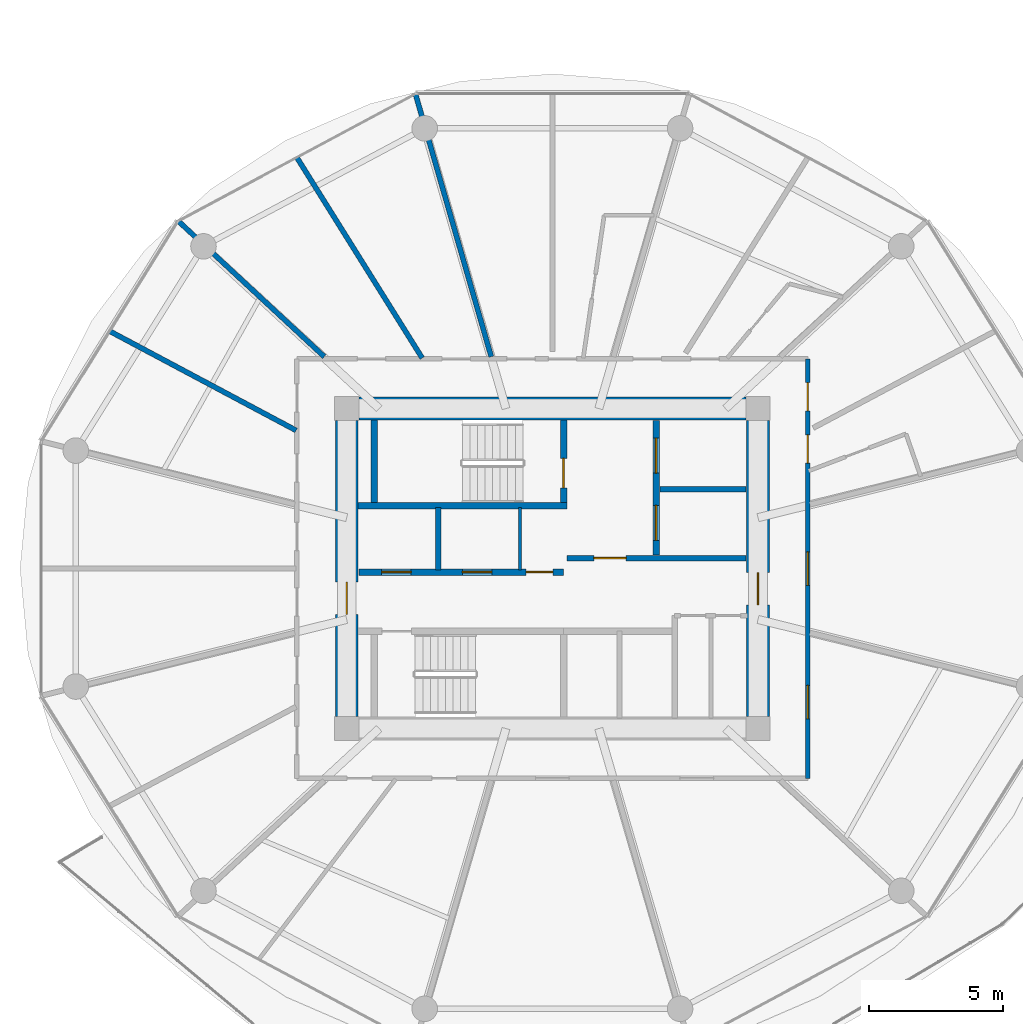
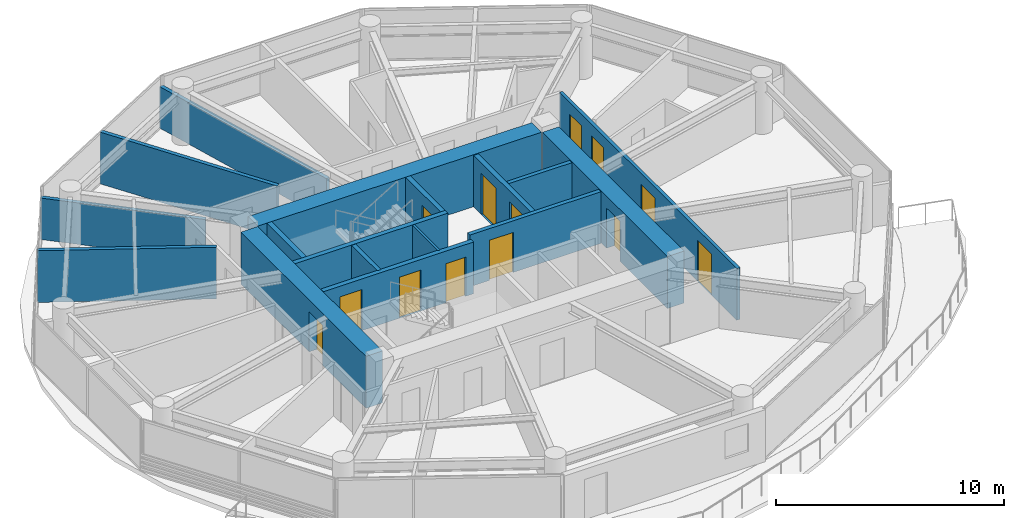
# One storey, part 16 of 26: 17 walls, 13 doors, 13 openings.
"""IFC4 building model written with IfcOpenShell, lengths in metres."""

from ifc_helpers import new_model, si_unit, direction, frame, frame_2d, origin, place, context, subcontext, project, spatial, rectangle, extrude, source, transform, mapped, material, layer, layer_set, type_object, type_shapes, element, fill, save


model = new_model("IFC4")

# Units and contexts
model_context = context("Model", 3, precision=1e-05, world=origin(), true_north=direction((0.0, 1.0)))
body_context = subcontext(model_context, "Body", "Model", "MODEL_VIEW")
ifc_project = project(units=[si_unit("LENGTHUNIT", "METRE"), si_unit("AREAUNIT", "SQUARE_METRE"), si_unit("VOLUMEUNIT", "CUBIC_METRE"), si_unit("PLANEANGLEUNIT", "RADIAN"), si_unit("MASSUNIT", "GRAM", prefix="KILO")], contexts=[model_context])

# Site, building, storey
site_placement = place(None, origin())
site = spatial("IfcSite", under=ifc_project, at=site_placement, CompositionType="ELEMENT")
building_placement = place(site_placement, origin())
building = spatial("IfcBuilding", under=site, at=building_placement, Name="Norrkilde Senior Care Towers", CompositionType="ELEMENT")
storey_placement = place(building_placement, frame((0.0, 0.0, 49.050048828125)))
storey = spatial("IfcBuildingStorey", under=building, at=storey_placement, Name="L14", CompositionType="ELEMENT", Elevation=49.050048828125)

# Wall
ifc_material_1 = material(Name="Concrete C60/75", Category="concrete")
ifc_layer_1 = layer(ifc_material_1, 0.85009765625)
ifc_layer_set_1 = layer_set([ifc_layer_1], Name="Concrete C60/75")
wall_type_1 = type_object("IfcWallType", Name="Core Shear Wall Z1 850", PredefinedType="SHEAR", material=ifc_layer_set_1)
shared_shape_1 = source(origin(), body_context, "Body", "SweptSolid", [
    extrude(rectangle(XDim=14.39990234375, YDim=0.85009765625, at=frame_2d((7.199951171875, 0.0))), origin(), (0.0, 0.0, 1.0), 2.7900390625),
])
wall_1_placement = place(storey_placement, frame((-35.199951171875, 5.949951171875, 0.0), z_axis=(0.0, 0.0, 1.0), x_axis=(1.0, 0.0, 0.0)))
element("IfcWall", 1, at=wall_1_placement, inside=storey, type_object=wall_type_1, Name="L14 Core W North Shear Wall", PredefinedType="SHEAR", context=body_context, shape_type="MappedRepresentation", body=[
    mapped(shared_shape_1, transform((0.0, 0.0, 0.0), x_axis=(1.0, 0.0, 0.0), y_axis=(0.0, 1.0, 0.0), z_axis=(0.0, 0.0, 1.0), scale=1.0)),
])

# Wall, opening, door
shared_shape_2 = source(origin(), body_context, "Body", "SweptSolid", [
    extrude(rectangle(XDim=11.0, YDim=0.85009765625, at=frame_2d((5.5, 0.0))), origin(), (0.0, 0.0, 1.0), 2.7900390625),
])
type_shapes(wall_type_1, [shared_shape_1, shared_shape_2])
wall_2_placement = place(storey_placement, frame((-35.64990234375, -5.5, 0.0), z_axis=(0.0, 0.0, 1.0), x_axis=(0.0, 1.0, 0.0)))
wall_2 = element("IfcWall", 2, at=wall_2_placement, inside=storey, type_object=wall_type_1, Name="L14 Core W West Shear Wall", PredefinedType="SHEAR", context=body_context, shape_type="MappedRepresentation", body=[
    mapped(shared_shape_2, transform((0.0, 0.0, 0.0), x_axis=(1.0, 0.0, 0.0), y_axis=(0.0, 1.0, 0.0), z_axis=(0.0, 0.0, 1.0), scale=1.0)),
])
opening_1_placement = place(wall_2_placement, frame((3.800048828125, 0.0, 0.0)))
opening_1 = element("IfcOpeningElement", 3, at=opening_1_placement, cuts=wall_2, Name="Opening D-04", PredefinedType="OPENING", context=body_context, shape_type="SweptSolid", body=[
    extrude(rectangle(XDim=1.199951171875, YDim=2.14990234375, at=frame_2d((0.60009765625, 1.074951171875))), frame((0.0, 0.43505859375, 0.0), z_axis=(0.0, -1.0, 0.0), x_axis=(1.0, 0.0, 0.0)), (0.0, 0.0, 1.0), 0.8701171875),
])
ifc_material_2 = material(Name="Galvanised Painted Steel", Category="steel")
door_type_1 = type_object("IfcDoorType", Name="Firefighting Lobby Fire Door 1200x2150", OperationType="NOTDEFINED", PredefinedType="DOOR", material=ifc_material_2)
shared_shape_3 = source(origin(), body_context, "Body", "SweptSolid", [
    extrude(rectangle(XDim=1.199951171875, YDim=2.14990234375, at=frame_2d((0.60009765625, 1.074951171875))), frame((0.0, 0.02490234375, 0.0), z_axis=(0.0, -1.0, 0.0), x_axis=(1.0, 0.0, 0.0)), (0.0, 0.0, 1.0), 0.050048828125),
])
type_shapes(door_type_1, [shared_shape_3])
door_1_placement = place(opening_1_placement, frame((1.199951171875, 0.0, 0.0), z_axis=(0.0, 0.0, 1.0), x_axis=(-1.0, 0.0, 0.0)))
door_1 = element("IfcDoor", 4, at=door_1_placement, inside=storey, type_object=door_type_1, Name="L14 Core W West Portal Door", OperationType="SINGLE_SWING_LEFT", OverallHeight=2.14990234375, OverallWidth=1.199951171875, PredefinedType="DOOR", context=body_context, shape_type="MappedRepresentation", body=[
    mapped(shared_shape_3, transform((0.0, 0.0, 0.0), x_axis=(1.0, 0.0, 0.0), y_axis=(0.0, 1.0, 0.0), z_axis=(0.0, 0.0, 1.0), scale=1.0)),
])
fill(opening_1, door_1)

wall_3_placement = place(storey_placement, frame((-20.35009765625, 5.5, 0.0), z_axis=(0.0, 0.0, 1.0), x_axis=(0.0, -1.0, 0.0)))
wall_3 = element("IfcWall", 5, at=wall_3_placement, inside=storey, type_object=wall_type_1, Name="L14 Core W East Shear Wall", PredefinedType="SHEAR", context=body_context, shape_type="MappedRepresentation", body=[
    mapped(shared_shape_2, transform((0.0, 0.0, 0.0), x_axis=(1.0, 0.0, 0.0), y_axis=(0.0, 1.0, 0.0), z_axis=(0.0, 0.0, 1.0), scale=1.0)),
])
opening_2_placement = place(wall_3_placement, frame((5.64990234375, 0.0, 0.0)))
opening_2 = element("IfcOpeningElement", 6, at=opening_2_placement, cuts=wall_3, Name="Opening D-04", PredefinedType="OPENING", context=body_context, shape_type="SweptSolid", body=[
    extrude(rectangle(XDim=1.199951171875, YDim=2.14990234375, at=frame_2d((0.60009765625, 1.074951171875))), frame((0.0, 0.43505859375, 0.0), z_axis=(0.0, -1.0, 0.0), x_axis=(1.0, 0.0, 0.0)), (0.0, 0.0, 1.0), 0.8701171875),
])
door_2_placement = place(opening_2_placement, frame((1.199951171875, 0.0, 0.0), z_axis=(0.0, 0.0, 1.0), x_axis=(-1.0, 0.0, 0.0)))
door_2 = element("IfcDoor", 7, at=door_2_placement, inside=storey, type_object=door_type_1, Name="L14 Core W East Portal Door", OperationType="SINGLE_SWING_RIGHT", OverallHeight=2.14990234375, OverallWidth=1.199951171875, PredefinedType="DOOR", context=body_context, shape_type="MappedRepresentation", body=[
    mapped(shared_shape_3, transform((0.0, 0.0, 0.0), x_axis=(1.0, 0.0, 0.0), y_axis=(0.0, 1.0, 0.0), z_axis=(0.0, 0.0, 1.0), scale=1.0)),
])
fill(opening_2, door_2)

# Wall, openings, doors
ifc_material_3 = material(Name="Concrete C45/55", Category="concrete")
ifc_layer_2 = layer(ifc_material_3, 0.239990234375)
ifc_layer_set_2 = layer_set([ifc_layer_2], Name="Concrete C45/55")
wall_type_2 = type_object("IfcWallType", Name="Lift and Plant Rated Enclosure Partition 240", PredefinedType="PARTITIONING", material=ifc_layer_set_2)
shared_shape_4 = source(origin(), body_context, "Body", "SweptSolid", [
    extrude(rectangle(XDim=5.0, YDim=0.239990234375, at=frame_2d((2.5, 0.0))), origin(), (0.0, 0.0, 1.0), 2.77490234375),
])
wall_4_placement = place(storey_placement, frame((-24.139892578125, 0.5, 0.0), z_axis=(0.0, 0.0, 1.0), x_axis=(0.0, 1.0, 0.0)))
wall_4 = element("IfcWall", 8, at=wall_4_placement, inside=storey, type_object=wall_type_2, Name="WL-INT-L14-W-FFLE", PredefinedType="PARTITIONING", context=body_context, shape_type="MappedRepresentation", body=[
    mapped(shared_shape_4, transform((0.0, 0.0, 0.0), x_axis=(1.0, 0.0, 0.0), y_axis=(0.0, 1.0, 0.0), z_axis=(0.0, 0.0, 1.0), scale=1.0)),
])
opening_3_placement = place(wall_4_placement, frame((3.050048828125, 0.0, 0.0)))
opening_3 = element("IfcOpeningElement", 9, at=opening_3_placement, cuts=wall_4, Name="Opening LD-02", PredefinedType="OPENING", context=body_context, shape_type="SweptSolid", body=[
    extrude(rectangle(XDim=1.300048828125, YDim=2.199951171875, at=frame_2d((0.64990234375, 1.10009765625))), frame((0.0, 0.1298828125, 0.0), z_axis=(0.0, -1.0, 0.0), x_axis=(1.0, 0.0, 0.0)), (0.0, 0.0, 1.0), 0.260009765625),
])
opening_4_placement = place(wall_4_placement, frame((0.550048828125, 0.0, 0.0)))
opening_4 = element("IfcOpeningElement", 10, at=opening_4_placement, cuts=wall_4, Name="Opening LD-02", PredefinedType="OPENING", context=body_context, shape_type="SweptSolid", body=[
    extrude(rectangle(XDim=1.300048828125, YDim=2.199951171875, at=frame_2d((0.64990234375, 1.10009765625))), frame((0.0, 0.1298828125, 0.0), z_axis=(0.0, -1.0, 0.0), x_axis=(1.0, 0.0, 0.0)), (0.0, 0.0, 1.0), 0.260009765625),
])
ifc_material_4 = material(Name="Stainless Steel", Category="steel")
door_type_2 = type_object("IfcDoorType", Name="Stretcher and FFL Landing Sliding Door 1300x2200", OperationType="NOTDEFINED", PredefinedType="DOOR", material=ifc_material_4)
shared_shape_5 = source(origin(), body_context, "Body", "SweptSolid", [
    extrude(rectangle(XDim=1.300048828125, YDim=2.199951171875, at=frame_2d((0.64990234375, 1.10009765625))), frame((0.0, 0.02490234375, 0.0), z_axis=(0.0, -1.0, 0.0), x_axis=(1.0, 0.0, 0.0)), (0.0, 0.0, 1.0), 0.050048828125),
])
type_shapes(door_type_2, [shared_shape_5])
door_3_placement = place(opening_3_placement, origin())
door_3 = element("IfcDoor", 11, at=door_3_placement, inside=storey, type_object=door_type_2, Name="L14 Firefighting Lift W1 Landing Door", OperationType="SLIDING_TO_LEFT", OverallHeight=2.199951171875, OverallWidth=1.300048828125, PredefinedType="DOOR", context=body_context, shape_type="MappedRepresentation", body=[
    mapped(shared_shape_5, transform((0.0, 0.0, 0.0), x_axis=(1.0, 0.0, 0.0), y_axis=(0.0, 1.0, 0.0), z_axis=(0.0, 0.0, 1.0), scale=1.0)),
])
fill(opening_3, door_3)
door_4_placement = place(opening_4_placement, origin())
door_4 = element("IfcDoor", 12, at=door_4_placement, inside=storey, type_object=door_type_2, Name="L14 Stretcher Lift W1 Landing Door", OperationType="SLIDING_TO_RIGHT", OverallHeight=2.199951171875, OverallWidth=1.300048828125, PredefinedType="DOOR", context=body_context, shape_type="MappedRepresentation", body=[
    mapped(shared_shape_5, transform((0.0, 0.0, 0.0), x_axis=(1.0, 0.0, 0.0), y_axis=(0.0, 1.0, 0.0), z_axis=(0.0, 0.0, 1.0), scale=1.0)),
])
fill(opening_4, door_4)

# Wall
ifc_layer_3 = layer(ifc_material_3, 0.199951171875)
ifc_layer_set_3 = layer_set([ifc_layer_3], Name="Concrete C45/55")
wall_type_3 = type_object("IfcWallType", Name="Shaft Division and Plant Partition 200", PredefinedType="PARTITIONING", material=ifc_layer_set_3)
shared_shape_6 = source(origin(), body_context, "Body", "SweptSolid", [
    extrude(rectangle(XDim=3.199951171875, YDim=0.199951171875, at=frame_2d((1.60009765625, 0.0))), origin(), (0.0, 0.0, 1.0), 2.77490234375),
])
wall_5_placement = place(storey_placement, frame((-24.0, 2.949951171875, 0.0), z_axis=(0.0, 0.0, 1.0), x_axis=(1.0, 0.0, 0.0)))
element("IfcWall", 13, at=wall_5_placement, inside=storey, type_object=wall_type_3, Name="WL-INT-L14-W-FFLDIV", PredefinedType="PARTITIONING", context=body_context, shape_type="MappedRepresentation", body=[
    mapped(shared_shape_6, transform((0.0, 0.0, 0.0), x_axis=(1.0, 0.0, 0.0), y_axis=(0.0, 1.0, 0.0), z_axis=(0.0, 0.0, 1.0), scale=1.0)),
])

# Wall, opening, door
ifc_layer_4 = layer(ifc_material_3, 0.2099609375)
ifc_layer_set_4 = layer_set([ifc_layer_4], Name="Concrete C45/55")
wall_type_4 = type_object("IfcWallType", Name="Firefighting Lobby Wall 210", PredefinedType="PARTITIONING", material=ifc_layer_set_4)
shared_shape_7 = source(origin(), body_context, "Body", "SweptSolid", [
    extrude(rectangle(XDim=6.659912109375, YDim=0.2099609375, at=frame_2d((3.330078125, 0.0))), origin(), (0.0, 0.0, 1.0), 2.77490234375),
])
type_shapes(wall_type_4, [shared_shape_7])
wall_6_placement = place(storey_placement, frame((-27.4599609375, 0.389892578125, 0.0), z_axis=(0.0, 0.0, 1.0), x_axis=(1.0, 0.0, 0.0)))
wall_6 = element("IfcWall", 14, at=wall_6_placement, inside=storey, type_object=wall_type_4, Name="WL-INT-L14-W-FFLS", PredefinedType="PARTITIONING", context=body_context, shape_type="MappedRepresentation", body=[
    mapped(shared_shape_7, transform((0.0, 0.0, 0.0), x_axis=(1.0, 0.0, 0.0), y_axis=(0.0, 1.0, 0.0), z_axis=(0.0, 0.0, 1.0), scale=1.0)),
])
opening_5_placement = place(wall_6_placement, frame((1.0, 0.0, 0.0)))
opening_5 = element("IfcOpeningElement", 15, at=opening_5_placement, cuts=wall_6, Name="Opening D-04", PredefinedType="OPENING", context=body_context, shape_type="SweptSolid", body=[
    extrude(rectangle(XDim=1.199951171875, YDim=2.14990234375, at=frame_2d((0.60009765625, 1.074951171875))), frame((0.0, 0.114990234375, 0.0), z_axis=(0.0, -1.0, 0.0), x_axis=(1.0, 0.0, 0.0)), (0.0, 0.0, 1.0), 0.22998046875),
])
door_5_placement = place(opening_5_placement, frame((1.199951171875, 0.0, 0.0), z_axis=(0.0, 0.0, 1.0), x_axis=(-1.0, 0.0, 0.0)))
door_5 = element("IfcDoor", 16, at=door_5_placement, inside=storey, type_object=door_type_1, Name="L14 Firefighting Lobby W Door", OperationType="SINGLE_SWING_LEFT", OverallHeight=2.14990234375, OverallWidth=1.199951171875, PredefinedType="DOOR", context=body_context, shape_type="MappedRepresentation", body=[
    mapped(shared_shape_3, transform((0.0, 0.0, 0.0), x_axis=(1.0, 0.0, 0.0), y_axis=(0.0, 1.0, 0.0), z_axis=(0.0, 0.0, 1.0), scale=1.0)),
])
fill(opening_5, door_5)

# Wall, openings, doors
shared_shape_8 = source(origin(), body_context, "Body", "SweptSolid", [
    extrude(rectangle(XDim=7.619873046875, YDim=0.239990234375, at=frame_2d((3.81005859375, 0.0))), origin(), (0.0, 0.0, 1.0), 2.77490234375),
])
type_shapes(wall_type_2, [shared_shape_4, shared_shape_8])
wall_7_placement = place(storey_placement, frame((-35.199951171875, -0.1298828125, 0.0), z_axis=(0.0, 0.0, 1.0), x_axis=(1.0, 0.0, 0.0)))
wall_7 = element("IfcWall", 17, at=wall_7_placement, inside=storey, type_object=wall_type_2, Name="WL-INT-L14-W-PKAS", PredefinedType="PARTITIONING", context=body_context, shape_type="MappedRepresentation", body=[
    mapped(shared_shape_8, transform((0.0, 0.0, 0.0), x_axis=(1.0, 0.0, 0.0), y_axis=(0.0, 1.0, 0.0), z_axis=(0.0, 0.0, 1.0), scale=1.0)),
])
opening_6_placement = place(wall_7_placement, frame((6.219970703125, 0.0, 0.0)))
opening_6 = element("IfcOpeningElement", 18, at=opening_6_placement, cuts=wall_7, Name="Opening D-10", PredefinedType="OPENING", context=body_context, shape_type="SweptSolid", body=[
    extrude(rectangle(XDim=1.0, YDim=2.10009765625, at=frame_2d((0.5, 1.050048828125))), frame((0.0, 0.1298828125, 0.0), z_axis=(0.0, -1.0, 0.0), x_axis=(1.0, 0.0, 0.0)), (0.0, 0.0, 1.0), 0.260009765625),
])
opening_7_placement = place(wall_7_placement, frame((0.85009765625, 0.0, 0.0)))
opening_7 = element("IfcOpeningElement", 19, at=opening_7_placement, cuts=wall_7, Name="Opening LD-01", PredefinedType="OPENING", context=body_context, shape_type="SweptSolid", body=[
    extrude(rectangle(XDim=1.10009765625, YDim=2.199951171875, at=frame_2d((0.550048828125, 1.10009765625))), frame((0.0, 0.1298828125, 0.0), z_axis=(0.0, -1.0, 0.0), x_axis=(1.0, 0.0, 0.0)), (0.0, 0.0, 1.0), 0.260009765625),
])
opening_8_placement = place(wall_7_placement, frame((3.85009765625, 0.0, 0.0)))
opening_8 = element("IfcOpeningElement", 20, at=opening_8_placement, cuts=wall_7, Name="Opening LD-01", PredefinedType="OPENING", context=body_context, shape_type="SweptSolid", body=[
    extrude(rectangle(XDim=1.10009765625, YDim=2.199951171875, at=frame_2d((0.550048828125, 1.10009765625))), frame((0.0, 0.1298828125, 0.0), z_axis=(0.0, -1.0, 0.0), x_axis=(1.0, 0.0, 0.0)), (0.0, 0.0, 1.0), 0.260009765625),
])
door_type_3 = type_object("IfcDoorType", Name="Plant and Riser Rated Door 1000x2100", OperationType="NOTDEFINED", PredefinedType="DOOR", material=ifc_material_2)
shared_shape_9 = source(origin(), body_context, "Body", "SweptSolid", [
    extrude(rectangle(XDim=1.0, YDim=2.10009765625, at=frame_2d((0.5, 1.050048828125))), frame((0.0, 0.02490234375, 0.0), z_axis=(0.0, -1.0, 0.0), x_axis=(1.0, 0.0, 0.0)), (0.0, 0.0, 1.0), 0.050048828125),
])
type_shapes(door_type_3, [shared_shape_9])
door_6_placement = place(opening_6_placement, frame((1.0, 0.0, 0.0), z_axis=(0.0, 0.0, 1.0), x_axis=(-1.0, 0.0, 0.0)))
door_6 = element("IfcDoor", 21, at=door_6_placement, inside=storey, type_object=door_type_3, Name="L14 Electrical Riser W Door", OperationType="SINGLE_SWING_LEFT", OverallHeight=2.10009765625, OverallWidth=1.0, PredefinedType="DOOR", context=body_context, shape_type="MappedRepresentation", body=[
    mapped(shared_shape_9, transform((0.0, 0.0, 0.0), x_axis=(1.0, 0.0, 0.0), y_axis=(0.0, 1.0, 0.0), z_axis=(0.0, 0.0, 1.0), scale=1.0)),
])
fill(opening_6, door_6)
door_type_4 = type_object("IfcDoorType", Name="Lift Landing Sliding Door 1100x2200", OperationType="NOTDEFINED", PredefinedType="DOOR", material=ifc_material_4)
shared_shape_10 = source(origin(), body_context, "Body", "SweptSolid", [
    extrude(rectangle(XDim=1.10009765625, YDim=2.199951171875, at=frame_2d((0.550048828125, 1.10009765625))), frame((0.0, 0.02490234375, 0.0), z_axis=(0.0, -1.0, 0.0), x_axis=(1.0, 0.0, 0.0)), (0.0, 0.0, 1.0), 0.050048828125),
])
type_shapes(door_type_4, [shared_shape_10])
door_7_placement = place(opening_7_placement, origin())
door_7 = element("IfcDoor", 22, at=door_7_placement, inside=storey, type_object=door_type_4, Name="L14 Passenger Lift W1 Landing Door", OperationType="SLIDING_TO_LEFT", OverallHeight=2.199951171875, OverallWidth=1.10009765625, PredefinedType="DOOR", context=body_context, shape_type="MappedRepresentation", body=[
    mapped(shared_shape_10, transform((0.0, 0.0, 0.0), x_axis=(1.0, 0.0, 0.0), y_axis=(0.0, 1.0, 0.0), z_axis=(0.0, 0.0, 1.0), scale=1.0)),
])
fill(opening_7, door_7)
door_8_placement = place(opening_8_placement, origin())
door_8 = element("IfcDoor", 23, at=door_8_placement, inside=storey, type_object=door_type_4, Name="L14 Passenger Lift W2 Landing Door", OperationType="SLIDING_TO_RIGHT", OverallHeight=2.199951171875, OverallWidth=1.10009765625, PredefinedType="DOOR", context=body_context, shape_type="MappedRepresentation", body=[
    mapped(shared_shape_10, transform((0.0, 0.0, 0.0), x_axis=(1.0, 0.0, 0.0), y_axis=(0.0, 1.0, 0.0), z_axis=(0.0, 0.0, 1.0), scale=1.0)),
])
fill(opening_8, door_8)

# Walls
ifc_material_5 = material(Name="Gypsum Acoustic Board")
ifc_layer_5 = layer(ifc_material_5, 0.114990234375)
ifc_layer_set_5 = layer_set([ifc_layer_5], Name="Gypsum Acoustic Board")
wall_type_5 = type_object("IfcWallType", Name="Internal Room Partition 115", PredefinedType="PARTITIONING", material=ifc_layer_set_5)
shared_shape_11 = source(origin(), body_context, "Body", "SweptSolid", [
    extrude(rectangle(XDim=2.330078125, YDim=0.114990234375, at=frame_2d((1.1650390625, 0.0))), origin(), (0.0, 0.0, 1.0), 2.77490234375),
])
type_shapes(wall_type_5, [shared_shape_11])
wall_8_placement = place(storey_placement, frame((-29.2099609375, -0.050048828125, 0.0), z_axis=(0.0, 0.0, 1.0), x_axis=(0.0, 1.0, 0.0)))
element("IfcWall", 24, at=wall_8_placement, inside=storey, type_object=wall_type_5, Name="WL-INT-L14-W-RISW", PredefinedType="PARTITIONING", context=body_context, shape_type="MappedRepresentation", body=[
    mapped(shared_shape_11, transform((0.0, 0.0, 0.0), x_axis=(1.0, 0.0, 0.0), y_axis=(0.0, 1.0, 0.0), z_axis=(0.0, 0.0, 1.0), scale=1.0)),
])
shared_shape_12 = source(origin(), body_context, "Body", "SweptSolid", [
    extrude(rectangle(XDim=2.330078125, YDim=0.199951171875, at=frame_2d((1.1650390625, 0.0))), origin(), (0.0, 0.0, 1.0), 2.77490234375),
])
type_shapes(wall_type_3, [shared_shape_6, shared_shape_12])
wall_9_placement = place(storey_placement, frame((-32.25, -0.050048828125, 0.0), z_axis=(0.0, 0.0, 1.0), x_axis=(0.0, 1.0, 0.0)))
element("IfcWall", 25, at=wall_9_placement, inside=storey, type_object=wall_type_3, Name="WL-INT-L14-W-PL12", PredefinedType="PARTITIONING", context=body_context, shape_type="MappedRepresentation", body=[
    mapped(shared_shape_12, transform((0.0, 0.0, 0.0), x_axis=(1.0, 0.0, 0.0), y_axis=(0.0, 1.0, 0.0), z_axis=(0.0, 0.0, 1.0), scale=1.0)),
])

# Wall, openings, doors
ifc_layer_6 = layer(ifc_material_5, 0.1650390625)
ifc_layer_set_6 = layer_set([ifc_layer_6], Name="Gypsum Acoustic Board")
wall_type_6 = type_object("IfcWallType", Name="Corridor Rated Partition 165", PredefinedType="PARTITIONING", material=ifc_layer_set_6)
shared_shape_13 = source(origin(), body_context, "Body", "SweptSolid", [
    extrude(rectangle(XDim=15.60009765625, YDim=0.1650390625, at=frame_2d((7.800048828125, 0.0))), origin(), (0.0, 0.0, 1.0), 2.77490234375),
])
type_shapes(wall_type_6, [shared_shape_13])
wall_10_placement = place(storey_placement, frame((-18.5, 7.800048828125, 0.0), z_axis=(0.0, 0.0, 1.0), x_axis=(0.0, -1.0, 0.0)))
wall_10 = element("IfcWall", 26, at=wall_10_placement, inside=storey, type_object=wall_type_6, Name="WL-INT-L14-W-CRW-E-0", PredefinedType="PARTITIONING", context=body_context, shape_type="MappedRepresentation", body=[
    mapped(shared_shape_13, transform((0.0, 0.0, 0.0), x_axis=(1.0, 0.0, 0.0), y_axis=(0.0, 1.0, 0.0), z_axis=(0.0, 0.0, 1.0), scale=1.0)),
])
opening_9_placement = place(wall_10_placement, frame((12.141357421875, 0.0, 0.0)))
opening_9 = element("IfcOpeningElement", 27, at=opening_9_placement, cuts=wall_10, Name="Opening D-05", PredefinedType="OPENING", context=body_context, shape_type="SweptSolid", body=[
    extrude(rectangle(XDim=1.25, YDim=2.199951171875, at=frame_2d((0.625, 1.10009765625))), frame((0.0, 0.092529296875, 0.0), z_axis=(0.0, -1.0, 0.0), x_axis=(1.0, 0.0, 0.0)), (0.0, 0.0, 1.0), 0.18505859375),
])
opening_10_placement = place(wall_10_placement, frame((7.175048828125, 0.0, 0.0)))
opening_10 = element("IfcOpeningElement", 28, at=opening_10_placement, cuts=wall_10, Name="Opening D-05", PredefinedType="OPENING", context=body_context, shape_type="SweptSolid", body=[
    extrude(rectangle(XDim=1.25, YDim=2.199951171875, at=frame_2d((0.625, 1.10009765625))), frame((0.0, 0.092529296875, 0.0), z_axis=(0.0, -1.0, 0.0), x_axis=(1.0, 0.0, 0.0)), (0.0, 0.0, 1.0), 0.18505859375),
])
opening_11_placement = place(wall_10_placement, frame((2.826416015625, 0.0, 0.0)))
opening_11 = element("IfcOpeningElement", 29, at=opening_11_placement, cuts=wall_10, Name="Opening D-06", PredefinedType="OPENING", context=body_context, shape_type="SweptSolid", body=[
    extrude(rectangle(XDim=1.050048828125, YDim=2.14990234375, at=frame_2d((0.52490234375, 1.074951171875))), frame((0.0, 0.092529296875, 0.0), z_axis=(0.0, -1.0, 0.0), x_axis=(1.0, 0.0, 0.0)), (0.0, 0.0, 1.0), 0.18505859375),
])
opening_12_placement = place(wall_10_placement, frame((0.88134765625, 0.0, 0.0)))
opening_12 = element("IfcOpeningElement", 30, at=opening_12_placement, cuts=wall_10, Name="Opening D-06", PredefinedType="OPENING", context=body_context, shape_type="SweptSolid", body=[
    extrude(rectangle(XDim=1.050048828125, YDim=2.14990234375, at=frame_2d((0.52490234375, 1.074951171875))), frame((0.0, 0.092529296875, 0.0), z_axis=(0.0, -1.0, 0.0), x_axis=(1.0, 0.0, 0.0)), (0.0, 0.0, 1.0), 0.18505859375),
])
ifc_material_6 = material(Name="Nordic Ash Timber", Category="wood")
door_type_5 = type_object("IfcDoorType", Name="Care Bedroom Bariatric Door 1250x2200", OperationType="NOTDEFINED", PredefinedType="DOOR", material=ifc_material_6)
shared_shape_14 = source(origin(), body_context, "Body", "SweptSolid", [
    extrude(rectangle(XDim=1.25, YDim=2.199951171875, at=frame_2d((0.625, 1.10009765625))), frame((0.0, 0.02490234375, 0.0), z_axis=(0.0, -1.0, 0.0), x_axis=(1.0, 0.0, 0.0)), (0.0, 0.0, 1.0), 0.050048828125),
])
type_shapes(door_type_5, [shared_shape_14])
door_9_placement = place(opening_9_placement, frame((1.25, 0.0, 0.0), z_axis=(0.0, 0.0, 1.0), x_axis=(-1.0, 0.0, 0.0)))
door_9 = element("IfcDoor", 31, at=door_9_placement, inside=storey, type_object=door_type_5, Name="L14 Resident Family Conference Room Door", OperationType="SINGLE_SWING_LEFT", OverallHeight=2.199951171875, OverallWidth=1.25, PredefinedType="DOOR", context=body_context, shape_type="MappedRepresentation", body=[
    mapped(shared_shape_14, transform((0.0, 0.0, 0.0), x_axis=(1.0, 0.0, 0.0), y_axis=(0.0, 1.0, 0.0), z_axis=(0.0, 0.0, 1.0), scale=1.0)),
])
fill(opening_9, door_9)
door_10_placement = place(opening_10_placement, frame((1.25, 0.0, 0.0), z_axis=(0.0, 0.0, 1.0), x_axis=(-1.0, 0.0, 0.0)))
door_10 = element("IfcDoor", 32, at=door_10_placement, inside=storey, type_object=door_type_5, Name="L14 Household Therapeutic Kitchen Door", OperationType="SINGLE_SWING_RIGHT", OverallHeight=2.199951171875, OverallWidth=1.25, PredefinedType="DOOR", context=body_context, shape_type="MappedRepresentation", body=[
    mapped(shared_shape_14, transform((0.0, 0.0, 0.0), x_axis=(1.0, 0.0, 0.0), y_axis=(0.0, 1.0, 0.0), z_axis=(0.0, 0.0, 1.0), scale=1.0)),
])
fill(opening_10, door_10)
door_type_6 = type_object("IfcDoorType", Name="Apartment Entrance Fire Door 1050x2150", OperationType="NOTDEFINED", PredefinedType="DOOR", material=ifc_material_6)
shared_shape_15 = source(origin(), body_context, "Body", "SweptSolid", [
    extrude(rectangle(XDim=1.050048828125, YDim=2.14990234375, at=frame_2d((0.52490234375, 1.074951171875))), frame((0.0, 0.02490234375, 0.0), z_axis=(0.0, -1.0, 0.0), x_axis=(1.0, 0.0, 0.0)), (0.0, 0.0, 1.0), 0.050048828125),
])
type_shapes(door_type_6, [shared_shape_15])
door_11_placement = place(opening_11_placement, frame((1.050048828125, 0.0, 0.0), z_axis=(0.0, 0.0, 1.0), x_axis=(-1.0, 0.0, 0.0)))
door_11 = element("IfcDoor", 33, at=door_11_placement, inside=storey, type_object=door_type_6, Name="L14 Care Suite 1400A Entrance Door", OperationType="SINGLE_SWING_LEFT", OverallHeight=2.14990234375, OverallWidth=1.050048828125, PredefinedType="DOOR", context=body_context, shape_type="MappedRepresentation", body=[
    mapped(shared_shape_15, transform((0.0, 0.0, 0.0), x_axis=(1.0, 0.0, 0.0), y_axis=(0.0, 1.0, 0.0), z_axis=(0.0, 0.0, 1.0), scale=1.0)),
])
fill(opening_11, door_11)
door_12_placement = place(opening_12_placement, frame((1.050048828125, 0.0, 0.0), z_axis=(0.0, 0.0, 1.0), x_axis=(-1.0, 0.0, 0.0)))
door_12 = element("IfcDoor", 34, at=door_12_placement, inside=storey, type_object=door_type_6, Name="L14 Therapy Day Lounge 00 Door", OperationType="SINGLE_SWING_RIGHT", OverallHeight=2.14990234375, OverallWidth=1.050048828125, PredefinedType="DOOR", context=body_context, shape_type="MappedRepresentation", body=[
    mapped(shared_shape_15, transform((0.0, 0.0, 0.0), x_axis=(1.0, 0.0, 0.0), y_axis=(0.0, 1.0, 0.0), z_axis=(0.0, 0.0, 1.0), scale=1.0)),
])
fill(opening_12, door_12)

# Walls
ifc_layer_7 = layer(ifc_material_5, 0.18994140625)
ifc_layer_set_7 = layer_set([ifc_layer_7], Name="Gypsum Acoustic Board")
wall_type_7 = type_object("IfcWallType", Name="Unit Demising Acoustic Wall 190", PredefinedType="PARTITIONING", material=ifc_layer_set_7)
shared_shape_16 = source(origin(), body_context, "Body", "SweptSolid", [
    extrude(rectangle(XDim=7.4345703125, YDim=0.18994140625, at=frame_2d((3.71728515625, 0.0))), origin(), (0.0, 0.0, 1.0), 2.224853515625),
])
wall_11_placement = place(storey_placement, frame((-36.48291015625, 7.8798828125, 0.0), z_axis=(0.0, 0.0, 1.0), x_axis=(-0.732651956848, 0.680603489652, 0.0)))
element("IfcWall", 35, at=wall_11_placement, inside=storey, type_object=wall_type_7, Name="WL-INT-L14-W-DEM-04-0", PredefinedType="PARTITIONING", context=body_context, shape_type="MappedRepresentation", body=[
    mapped(shared_shape_16, transform((0.0, 0.0, 0.0), x_axis=(1.0, 0.0, 0.0), y_axis=(0.0, 1.0, 0.0), z_axis=(0.0, 0.0, 1.0), scale=1.0)),
])
shared_shape_17 = source(origin(), body_context, "Body", "SweptSolid", [
    extrude(rectangle(XDim=10.196044921875, YDim=0.18994140625, at=frame_2d((5.09814453125, 0.0))), origin(), (0.0, 0.0, 1.0), 2.224853515625),
])
wall_12_placement = place(storey_placement, frame((-30.27294921875, 7.8798828125, 0.0), z_axis=(0.0, 0.0, 1.0), x_axis=(-0.277136420347, 0.960830580549, 0.0)))
element("IfcWall", 36, at=wall_12_placement, inside=storey, type_object=wall_type_7, Name="WL-INT-L14-W-DEM-03-0", PredefinedType="PARTITIONING", context=body_context, shape_type="MappedRepresentation", body=[
    mapped(shared_shape_17, transform((0.0, 0.0, 0.0), x_axis=(1.0, 0.0, 0.0), y_axis=(0.0, 1.0, 0.0), z_axis=(0.0, 0.0, 1.0), scale=1.0)),
])
ifc_layer_8 = layer(ifc_material_3, 0.239990234375)
ifc_layer_set_8 = layer_set([ifc_layer_8], Name="Concrete C45/55")
wall_type_8 = type_object("IfcWallType", Name="Shaft and Stair Enclosure Wall 240", PredefinedType="PARTITIONING", material=ifc_layer_set_8)
shared_shape_18 = source(origin(), body_context, "Body", "SweptSolid", [
    extrude(rectangle(XDim=7.76513671875, YDim=0.239990234375, at=frame_2d((3.882568359375, 0.0))), origin(), (0.0, 0.0, 1.0), 2.7900390625),
])
wall_13_placement = place(storey_placement, frame((-35.22509765625, 2.330078125, 0.0), z_axis=(0.0, 0.0, 1.0), x_axis=(1.0, 0.0, 0.0)))
element("IfcWall", 37, at=wall_13_placement, inside=storey, type_object=wall_type_8, Name="WL-INT-L14-W-ST1S", PredefinedType="PARTITIONING", context=body_context, shape_type="MappedRepresentation", body=[
    mapped(shared_shape_18, transform((0.0, 0.0, 0.0), x_axis=(1.0, 0.0, 0.0), y_axis=(0.0, 1.0, 0.0), z_axis=(0.0, 0.0, 1.0), scale=1.0)),
])
shared_shape_19 = source(origin(), body_context, "Body", "SweptSolid", [
    extrude(rectangle(XDim=3.074951171875, YDim=0.239990234375, at=frame_2d((1.53759765625, 0.0))), origin(), (0.0, 0.0, 1.0), 2.7900390625),
])
type_shapes(wall_type_8, [shared_shape_18, shared_shape_19])
wall_14_placement = place(storey_placement, frame((-34.6201171875, 2.449951171875, 0.0), z_axis=(0.0, 0.0, 1.0), x_axis=(0.0, 1.0, 0.0)))
element("IfcWall", 38, at=wall_14_placement, inside=storey, type_object=wall_type_8, Name="WL-INT-L14-W-ST1W", PredefinedType="PARTITIONING", context=body_context, shape_type="MappedRepresentation", body=[
    mapped(shared_shape_19, transform((0.0, 0.0, 0.0), x_axis=(1.0, 0.0, 0.0), y_axis=(0.0, 1.0, 0.0), z_axis=(0.0, 0.0, 1.0), scale=1.0)),
])

# Wall, opening, door
wall_15_placement = place(storey_placement, frame((-27.580078125, 2.449951171875, 0.0), z_axis=(0.0, 0.0, 1.0), x_axis=(0.0, 1.0, 0.0)))
wall_15 = element("IfcWall", 39, at=wall_15_placement, inside=storey, type_object=wall_type_8, Name="WL-INT-L14-W-ST1E", PredefinedType="PARTITIONING", context=body_context, shape_type="MappedRepresentation", body=[
    mapped(shared_shape_19, transform((0.0, 0.0, 0.0), x_axis=(1.0, 0.0, 0.0), y_axis=(0.0, 1.0, 0.0), z_axis=(0.0, 0.0, 1.0), scale=1.0)),
])
opening_13_placement = place(wall_15_placement, frame((0.550048828125, 0.0, 0.0)))
opening_13 = element("IfcOpeningElement", 40, at=opening_13_placement, cuts=wall_15, Name="Opening D-03", PredefinedType="OPENING", context=body_context, shape_type="SweptSolid", body=[
    extrude(rectangle(XDim=1.10009765625, YDim=2.14990234375, at=frame_2d((0.550048828125, 1.074951171875))), frame((0.0, 0.1298828125, 0.0), z_axis=(0.0, -1.0, 0.0), x_axis=(1.0, 0.0, 0.0)), (0.0, 0.0, 1.0), 0.260009765625),
])
door_type_7 = type_object("IfcDoorType", Name="Stairwell Protected Fire Door 1100x2150", OperationType="NOTDEFINED", PredefinedType="DOOR", material=ifc_material_2)
shared_shape_20 = source(origin(), body_context, "Body", "SweptSolid", [
    extrude(rectangle(XDim=1.10009765625, YDim=2.14990234375, at=frame_2d((0.550048828125, 1.074951171875))), frame((0.0, 0.02490234375, 0.0), z_axis=(0.0, -1.0, 0.0), x_axis=(1.0, 0.0, 0.0)), (0.0, 0.0, 1.0), 0.050048828125),
])
type_shapes(door_type_7, [shared_shape_20])
door_13_placement = place(opening_13_placement, origin())
door_13 = element("IfcDoor", 41, at=door_13_placement, inside=storey, type_object=door_type_7, Name="L14 Stair W1 Fire Door", OperationType="SINGLE_SWING_LEFT", OverallHeight=2.14990234375, OverallWidth=1.10009765625, PredefinedType="DOOR", context=body_context, shape_type="MappedRepresentation", body=[
    mapped(shared_shape_20, transform((0.0, 0.0, 0.0), x_axis=(1.0, 0.0, 0.0), y_axis=(0.0, 1.0, 0.0), z_axis=(0.0, 0.0, 1.0), scale=1.0)),
])
fill(opening_13, door_13)

# Walls
shared_shape_21 = source(origin(), body_context, "Body", "SweptSolid", [
    extrude(rectangle(XDim=7.873291015625, YDim=0.18994140625, at=frame_2d((3.9365234375, 0.0))), origin(), (0.0, 0.0, 1.0), 2.77490234375),
])
wall_16_placement = place(storey_placement, frame((-37.530029296875, 5.1376953125, 0.0), z_axis=(0.0, 0.0, 1.0), x_axis=(-0.882666052726, 0.470000680175, 0.0)))
element("IfcWall", 42, at=wall_16_placement, inside=storey, type_object=wall_type_7, Name="WL-INT-L14-W-MID-04", PredefinedType="PARTITIONING", context=body_context, shape_type="MappedRepresentation", body=[
    mapped(shared_shape_21, transform((0.0, 0.0, 0.0), x_axis=(1.0, 0.0, 0.0), y_axis=(0.0, 1.0, 0.0), z_axis=(0.0, 0.0, 1.0), scale=1.0)),
])
shared_shape_22 = source(origin(), body_context, "Body", "SweptSolid", [
    extrude(rectangle(XDim=8.818359375, YDim=0.18994140625, at=frame_2d((4.4091796875, 0.0))), origin(), (0.0, 0.0, 1.0), 2.77490234375),
])
type_shapes(wall_type_7, [shared_shape_16, shared_shape_17, shared_shape_21, shared_shape_22])
wall_17_placement = place(storey_placement, frame((-32.84130859375, 7.830078125, 0.0), z_axis=(0.0, 0.0, 1.0), x_axis=(-0.529931746109, 0.848040296487, 0.0)))
element("IfcWall", 43, at=wall_17_placement, inside=storey, type_object=wall_type_7, Name="WL-INT-L14-W-MID-03", PredefinedType="PARTITIONING", context=body_context, shape_type="MappedRepresentation", body=[
    mapped(shared_shape_22, transform((0.0, 0.0, 0.0), x_axis=(1.0, 0.0, 0.0), y_axis=(0.0, 1.0, 0.0), z_axis=(0.0, 0.0, 1.0), scale=1.0)),
])

save(model, "model.ifc")
